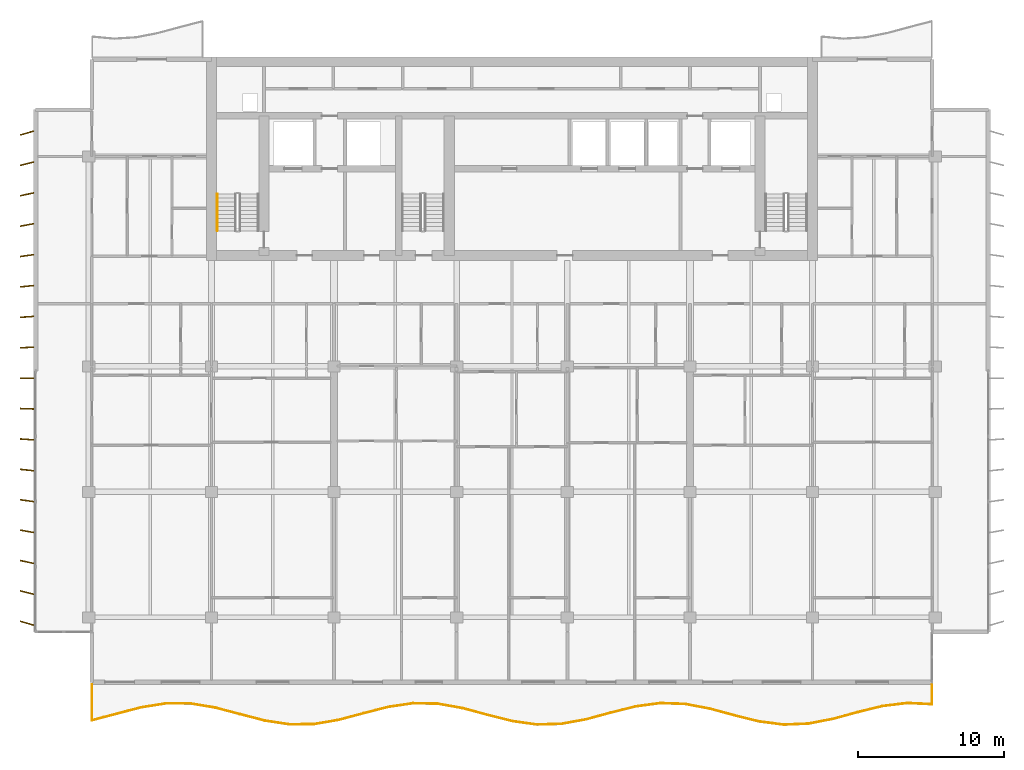
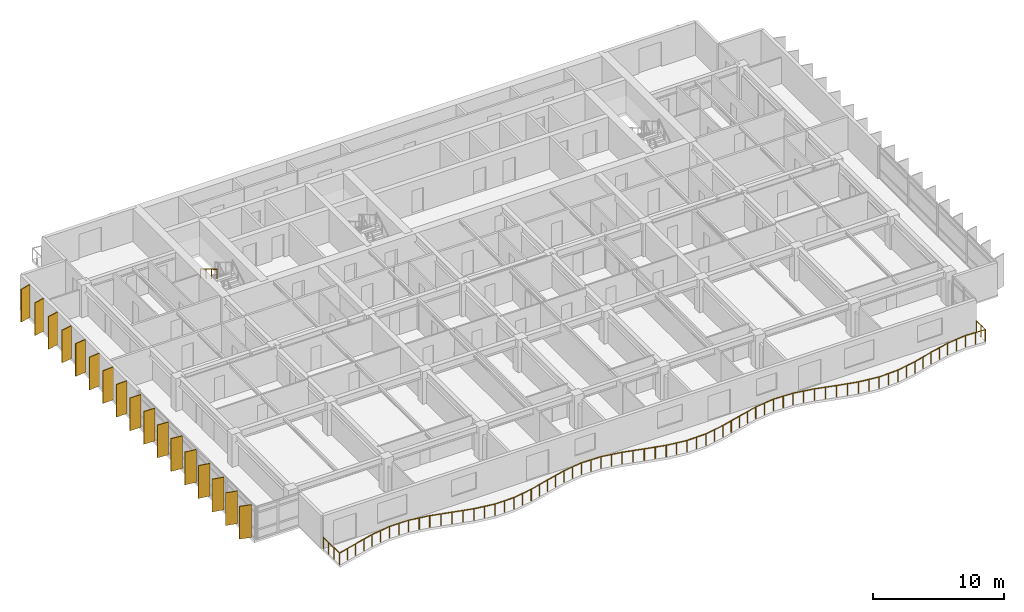
# One storey, part 15 of 18: 17 shading devices, 2 railings.
"""IFC4 building model written with IfcOpenShell, lengths in metres."""

import ifcopenshell
import ifcopenshell.guid

model = None  # the IFC model being written
_history = None  # IfcOwnerHistory: only IFC2X3 demands one
_inside = {}  # id of a spatial element -> (the spatial element, [elements in it])
_under = {}  # id of a project, library or spatial element -> (it, [spatial elements below it])
_declared = {}  # id of a project -> (the project, [libraries it declares])
_typed = {}  # id of a type object -> (the type object, [elements of that type])
_made_of = {}  # id of a material, layer set ... -> (it, [elements and type objects made of it])


def new_model(schema):
    """Start an empty IFC model of exactly this schema.

    Asked for "IFC4X3", IfcOpenShell would pick the latest addendum, in which some entities
    have other attributes; the version numbers below select the first issue.
    IFC2X3 requires an IfcOwnerHistory on every rooted entity: one is made here for all.
    """
    global model, _history
    if schema == "IFC4X3":
        model = ifcopenshell.file(schema_version=(4, 3, 0, 0))
    else:
        model = ifcopenshell.file(schema=schema)
    _inside.clear()
    _under.clear()
    _declared.clear()
    _typed.clear()
    _made_of.clear()
    _history = None
    if model.schema == "IFC2X3":
        org = make("IfcOrganization", Name="unknown")
        user = make(
            "IfcPersonAndOrganization",
            ThePerson=make("IfcPerson", FamilyName="unknown"),
            TheOrganization=org,
        )
        app = make(
            "IfcApplication",
            ApplicationDeveloper=org,
            Version="unknown",
            ApplicationFullName="unknown",
            ApplicationIdentifier="unknown",
        )
        _history = make(
            "IfcOwnerHistory",
            OwningUser=user,
            OwningApplication=app,
            ChangeAction="ADDED",
            CreationDate=0,
        )
    return model


def make(cls, **values):
    """One entity of the class cls with the attributes given. An attribute that is None is left unset."""
    return model.create_entity(
        cls, **{name: value for name, value in values.items() if value is not None}
    )


def rooted(cls, **values):
    """An entity with a GlobalId (a new one), such as an element, a storey or a relation."""
    return make(cls, GlobalId=ifcopenshell.guid.new(), OwnerHistory=_history, **values)


def si_unit(unit_type, name, prefix=None):
    """IfcSIUnit, for example si_unit("LENGTHUNIT", "METRE", prefix="MILLI")."""
    return make("IfcSIUnit", UnitType=unit_type, Prefix=prefix, Name=name)


def assignment(units):
    """IfcUnitAssignment: the units of a project."""
    return None if units is None else make("IfcUnitAssignment", Units=units)


def point(xyz):
    """IfcCartesianPoint."""
    return None if xyz is None else make("IfcCartesianPoint", Coordinates=xyz)


def direction(xyz):
    """IfcDirection."""
    return None if xyz is None else make("IfcDirection", DirectionRatios=xyz)


def frame(location, z_axis=None, x_axis=None):
    """IfcAxis2Placement3D, a coordinate frame: its origin and axes. An axis left out is left unset."""
    return make(
        "IfcAxis2Placement3D",
        Location=point(location),
        Axis=direction(z_axis),
        RefDirection=direction(x_axis),
    )


def frame_2d(location, x_axis=None):
    """IfcAxis2Placement2D, a coordinate frame in the plane: its origin and x axis."""
    return make(
        "IfcAxis2Placement2D", Location=point(location), RefDirection=direction(x_axis)
    )


def origin():
    """The frame at (0, 0, 0) with its axes left unset."""
    return frame((0.0, 0.0, 0.0))


def origin_2d():
    """The frame at (0, 0) in the plane with its x axis left unset."""
    return frame_2d((0.0, 0.0))


def place(relative_to, where):
    """IfcLocalPlacement: puts the frame where relative to a parent placement (None: the world)."""
    return make(
        "IfcLocalPlacement", PlacementRelTo=relative_to, RelativePlacement=where
    )


def context(
    kind, dimensions, precision=None, world=None, true_north=None, identifier=None
):
    """IfcGeometricRepresentationContext, for example the 3D "Model" context."""
    return make(
        "IfcGeometricRepresentationContext",
        ContextIdentifier=identifier,
        ContextType=kind,
        CoordinateSpaceDimension=dimensions,
        Precision=precision,
        WorldCoordinateSystem=world,
        TrueNorth=true_north,
    )


def subcontext(parent, identifier, kind, view, scale=None):
    """IfcGeometricRepresentationSubContext, for example "Body" below "Model"."""
    return make(
        "IfcGeometricRepresentationSubContext",
        ContextIdentifier=identifier,
        ContextType=kind,
        ParentContext=parent,
        TargetScale=scale,
        TargetView=view,
    )


def project(units=None, contexts=None):
    """IfcProject with its units and contexts."""
    return rooted(
        "IfcProject",
        Name="project",
        RepresentationContexts=contexts,
        UnitsInContext=assignment(units),
    )


def spatial(cls, under=None, at=None, **own):
    """A site, building, storey or space (cls), placed at a placement, below another one or the project."""
    s = rooted(cls, ObjectPlacement=at, **own)
    if under is not None:
        _under.setdefault(under.id(), (under, []))[1].append(s)
    return s


def profile(cls, at=None, kind="AREA", **sizes):
    """A parametric profile (cls). Its sizes go by their IFC names, for example OverallWidth=200.0."""
    return make(cls, ProfileType=kind, Position=at, **sizes)


def rectangle(**sizes):
    """IfcRectangleProfileDef."""
    return profile("IfcRectangleProfileDef", **sizes)


def circle(**sizes):
    """IfcCircleProfileDef."""
    return profile("IfcCircleProfileDef", **sizes)


def extrude(swept, where, along, depth):
    """IfcExtrudedAreaSolid: the profile swept, set in the frame where, extruded along a direction by depth."""
    return make(
        "IfcExtrudedAreaSolid",
        SweptArea=swept,
        Position=where,
        ExtrudedDirection=direction(along),
        Depth=depth,
    )


def shape(context_of_items, identifier, shape_type, items):
    """IfcShapeRepresentation: the items that make up one representation, for example the "Body"."""
    return make(
        "IfcShapeRepresentation",
        ContextOfItems=context_of_items,
        RepresentationIdentifier=identifier,
        RepresentationType=shape_type,
        Items=items,
    )


def material(Name=None, Category=None):
    """IfcMaterial."""
    return make("IfcMaterial", Name=Name, Category=Category)


def material_profile(
    of_material, cross_section, Name=None, Category=None, Priority=None
):
    """IfcMaterialProfile: a cross section and its material."""
    return make(
        "IfcMaterialProfile",
        Name=Name,
        Material=of_material,
        Profile=cross_section,
        Priority=Priority,
        Category=Category,
    )


def profile_set(profiles, Name=None, composite=None):
    """IfcMaterialProfileSet."""
    return make(
        "IfcMaterialProfileSet",
        Name=Name,
        MaterialProfiles=profiles,
        CompositeProfile=composite,
    )


def made_of(thing, what):
    """Note that an element or type object is made of a material, layer set ...; save() writes the relation."""
    if what is not None:
        _made_of.setdefault(what.id(), (what, []))[1].append(thing)
    return thing


def type_object(cls, material=None, **own):
    """A type object (cls), such as IfcWallType, which elements share."""
    return made_of(rooted(cls, **own), material)


def element(
    cls,
    number,
    at=None,
    inside=None,
    cuts=None,
    type_object=None,
    material=None,
    context=None,
    identifier="Body",
    shape_type=None,
    held_by="IfcProductDefinitionShape",
    body=None,
    shapes=None,
    **own,
):
    """One element of the class cls, such as IfcWall. Its Tag is "e" and its number.

    at: its placement. inside: the storey or other place that contains it. cuts: it is an
    opening in that element (IfcRelVoidsElement). A single representation is given by context,
    identifier, shape_type and body (its items); several are given by shapes. held_by: the class
    of the entity that holds the representations. save() writes the other relations.
    """
    e = rooted(cls, Tag="e%d" % number, ObjectPlacement=at, **own)
    if body is not None:
        shapes = [shape(context, identifier, shape_type, body)]
    if shapes is not None:
        e.Representation = make(held_by, Representations=shapes)
    if inside is not None:
        _inside.setdefault(inside.id(), (inside, []))[1].append(e)
    if cuts is not None:
        rooted(
            "IfcRelVoidsElement", RelatingBuildingElement=cuts, RelatedOpeningElement=e
        )
    if type_object is not None:
        _typed.setdefault(type_object.id(), (type_object, []))[1].append(e)
    return made_of(e, material)


def aggregate(whole, parts):
    """IfcRelAggregates: a whole, such as a stair, and the parts it consists of."""
    return rooted("IfcRelAggregates", RelatingObject=whole, RelatedObjects=parts)


def save(model, path):
    """Write the relations noted so far, then the file.

    IfcRelAggregates (storeys below a building ...), IfcRelContainedInSpatialStructure (elements
    in a storey), IfcRelDefinesByType, IfcRelAssociatesMaterial and IfcRelDeclares: one each for
    every whole, place, type object, material and project.
    """
    for whole, parts in _under.values():
        aggregate(whole, parts)
    for where, things in _inside.values():
        rooted(
            "IfcRelContainedInSpatialStructure",
            RelatedElements=things,
            RelatingStructure=where,
        )
    for kind, things in _typed.values():
        rooted("IfcRelDefinesByType", RelatedObjects=things, RelatingType=kind)
    for what, things in _made_of.values():
        rooted("IfcRelAssociatesMaterial", RelatedObjects=things, RelatingMaterial=what)
    for by, libraries in _declared.values():
        rooted("IfcRelDeclares", RelatingContext=by, RelatedDefinitions=libraries)
    model.write(path)


model = new_model("IFC4")

# Units and contexts
model_context = context("Model", 3, precision=1e-05, world=origin(), true_north=direction((0.0, 1.0)))
body_context = subcontext(model_context, "Body", "Model", "MODEL_VIEW")
ifc_project = project(units=[si_unit("LENGTHUNIT", "METRE"), si_unit("AREAUNIT", "SQUARE_METRE"), si_unit("VOLUMEUNIT", "CUBIC_METRE"), si_unit("PLANEANGLEUNIT", "RADIAN"), si_unit("MASSUNIT", "GRAM", prefix="KILO")], contexts=[model_context])

# Site, building, storey
site_placement = place(None, origin())
site = spatial("IfcSite", under=ifc_project, at=site_placement, CompositionType="ELEMENT")
building_placement = place(site_placement, origin())
building = spatial("IfcBuilding", under=site, at=building_placement, Name="Caelmar Bay Residences", CompositionType="ELEMENT")
storey_placement = place(building_placement, frame((0.0, 0.0, 170.39990234375)))
storey = spatial("IfcBuildingStorey", under=building, at=storey_placement, Name="L47", CompositionType="ELEMENT", Elevation=170.39990234375)

# Railings
ifc_material_1 = material(Name="Anodised bronze handrail with laminated hurricane glass infill", Category="glass")
railing_type_1 = type_object("IfcRailingType", Name="RL-BAL-1100", PredefinedType="BALUSTRADE", material=ifc_material_1)
railing_1_placement = place(storey_placement, frame((10.10009765625, 7.60009765625, 0.0)))
element("IfcRailing", 1, at=railing_1_placement, inside=storey, type_object=railing_type_1, Name="L47 south Balcony Balustrade", PredefinedType="BALUSTRADE", context=body_context, shape_type="SweptSolid", body=[
    extrude(circle(Radius=0.02392578125, at=origin_2d()), frame((0.0, 0.0, 1.076171875), z_axis=(0.0, -1.0, 0.0), x_axis=(1.0, 0.0, 0.0)), (0.0, 0.0, 1.0), 2.4609375),
    extrude(circle(Radius=0.02392578125, at=origin_2d()), frame((0.0, -2.4609375, 1.076171875), z_axis=(0.967213419864, 0.253964959071, 0.0), x_axis=(-0.253964959071, 0.967213419864, 0.0)), (0.0, 0.0, 1.0), 1.75146484375),
    extrude(circle(Radius=0.02392578125, at=origin_2d()), frame((1.694091796875, -2.01611328125, 1.076171875), z_axis=(0.967452721497, 0.25305183593, 0.0), x_axis=(-0.25305183593, 0.967452721497, 0.0)), (0.0, 0.0, 1.0), 1.7509765625),
    extrude(circle(Radius=0.02392578125, at=origin_2d()), frame((3.38818359375, -1.572998046875, 1.076171875), z_axis=(0.987556706693, 0.15726331761, 0.0), x_axis=(-0.15726331761, 0.987556706693, 0.0)), (0.0, 0.0, 1.0), 1.71533203125),
    extrude(circle(Radius=0.02392578125, at=origin_2d()), frame((5.082275390625, -1.30322265625, 1.076171875), z_axis=(0.99998654225, -0.005187997625, 0.0), x_axis=(0.005187997625, 0.99998654225, 0.0)), (0.0, 0.0, 1.0), 1.694091796875),
    extrude(circle(Radius=0.02392578125, at=origin_2d()), frame((6.7763671875, -1.31201171875, 1.076171875), z_axis=(0.986290005776, -0.165021285013, 0.0), x_axis=(0.165021285013, 0.986290005776, 0.0)), (0.0, 0.0, 1.0), 1.717529296875),
    extrude(circle(Radius=0.02392578125, at=origin_2d()), frame((8.470458984375, -1.595458984375, 1.076171875), z_axis=(0.966698132287, -0.255919364319, 0.0), x_axis=(0.255919364319, 0.966698132287, 0.0)), (0.0, 0.0, 1.0), 1.75244140625),
    extrude(circle(Radius=0.02392578125, at=origin_2d()), frame((10.16455078125, -2.0439453125, 1.076171875), z_axis=(0.967996898166, -0.250962158784, 0.0), x_axis=(0.250962158784, 0.967996898166, 0.0)), (0.0, 0.0, 1.0), 1.75),
    extrude(circle(Radius=0.02392578125, at=origin_2d()), frame((11.858642578125, -2.483154296875, 1.076171875), z_axis=(0.988489971767, -0.151286402942, 0.0), x_axis=(0.151286402942, 0.988489971767, 0.0)), (0.0, 0.0, 1.0), 1.7138671875),
    extrude(circle(Radius=0.02392578125, at=origin_2d()), frame((13.552734375, -2.742431640625, 1.076171875), z_axis=(0.999925003662, 0.012246920074, 0.0), x_axis=(-0.012246920074, 0.999925003662, 0.0)), (0.0, 0.0, 1.0), 1.694580078125),
    extrude(circle(Radius=0.02392578125, at=origin_2d()), frame((15.2470703125, -2.7216796875, 1.076171875), z_axis=(0.985326175122, 0.17068195165, 0.0), x_axis=(-0.17068195165, 0.985326175122, 0.0)), (0.0, 0.0, 1.0), 1.71923828125),
    extrude(circle(Radius=0.02392578125, at=origin_2d()), frame((16.941162109375, -2.42822265625, 1.076171875), z_axis=(0.966248805322, 0.257610648486, 0.0), x_axis=(-0.257610648486, 0.966248805322, 0.0)), (0.0, 0.0, 1.0), 1.753173828125),
    extrude(circle(Radius=0.02392578125, at=origin_2d()), frame((18.63525390625, -1.9765625, 1.076171875), z_axis=(0.968604420654, 0.248607072083, 0.0), x_axis=(-0.248607072083, 0.968604420654, 0.0)), (0.0, 0.0, 1.0), 1.7490234375),
    extrude(circle(Radius=0.02392578125, at=origin_2d()), frame((20.329345703125, -1.541748046875, 1.076171875), z_axis=(0.989347663286, 0.145571979279, 0.0), x_axis=(-0.145571979279, 0.989347663286, 0.0)), (0.0, 0.0, 1.0), 1.71240234375),
    extrude(circle(Radius=0.02392578125, at=origin_2d()), frame((22.0234375, -1.29248046875, 1.076171875), z_axis=(0.999805154483, -0.019739631959, 0.0), x_axis=(0.019739631959, 0.999805154483, 0.0)), (0.0, 0.0, 1.0), 1.6943359375),
    extrude(circle(Radius=0.02392578125, at=origin_2d()), frame((23.717529296875, -1.325927734375, 1.076171875), z_axis=(0.984405647949, -0.175913388594, 0.0), x_axis=(0.175913388594, 0.984405647949, 0.0)), (0.0, 0.0, 1.0), 1.720947265625),
    extrude(circle(Radius=0.02392578125, at=origin_2d()), frame((25.41162109375, -1.628662109375, 1.076171875), z_axis=(0.965796942393, -0.259299568191, 0.0), x_axis=(0.259299568191, 0.965796942393, 0.0)), (0.0, 0.0, 1.0), 1.754150390625),
    extrude(circle(Radius=0.02392578125, at=origin_2d()), frame((27.105712890625, -2.08349609375, 1.076171875), z_axis=(0.969240289896, -0.246116355497, 0.0), x_axis=(0.246116355497, 0.969240289896, 0.0)), (0.0, 0.0, 1.0), 1.747802734375),
    extrude(circle(Radius=0.02392578125, at=origin_2d()), frame((28.7998046875, -2.513671875, 1.076171875), z_axis=(0.990232888477, -0.139423192397, 0.0), x_axis=(0.139423192397, 0.990232888477, 0.0)), (0.0, 0.0, 1.0), 1.710693359375),
    extrude(circle(Radius=0.02392578125, at=origin_2d()), frame((30.493896484375, -2.752197265625, 1.076171875), z_axis=(0.99963706992, 0.026939347467, 0.0), x_axis=(-0.026939347467, 0.99963706992, 0.0)), (0.0, 0.0, 1.0), 1.69482421875),
    extrude(circle(Radius=0.02392578125, at=origin_2d()), frame((32.18798828125, -2.70654296875, 1.076171875), z_axis=(0.98346381748, 0.181104720279, 0.0), x_axis=(-0.181104720279, 0.98346381748, 0.0)), (0.0, 0.0, 1.0), 1.722900390625),
    extrude(circle(Radius=0.02392578125, at=origin_2d()), frame((33.88232421875, -2.39453125, 1.076171875), z_axis=(0.965412624855, 0.260726799103, 0.0), x_axis=(-0.260726799103, 0.965412624855, 0.0)), (0.0, 0.0, 1.0), 1.7548828125),
    extrude(circle(Radius=0.02392578125, at=origin_2d()), frame((35.576416015625, -1.93701171875, 1.076171875), z_axis=(0.969936592208, 0.243357775909, 0.0), x_axis=(-0.243357775909, 0.969936592208, 0.0)), (0.0, 0.0, 1.0), 1.74658203125),
    extrude(circle(Radius=0.02392578125, at=origin_2d()), frame((37.2705078125, -1.511962890625, 1.076171875), z_axis=(0.991062477323, 0.133398523392, 0.0), x_axis=(-0.133398523392, 0.991062477323, 0.0)), (0.0, 0.0, 1.0), 1.70947265625),
    extrude(circle(Radius=0.02392578125, at=origin_2d()), frame((38.964599609375, -1.283935546875, 1.076171875), z_axis=(0.99941723541, -0.034134873151, 0.0), x_axis=(0.034134873151, 0.99941723541, 0.0)), (0.0, 0.0, 1.0), 1.695068359375),
    extrude(circle(Radius=0.02392578125, at=origin_2d()), frame((40.65869140625, -1.341796875, 1.076171875), z_axis=(0.982512882839, -0.186194616073, 0.0), x_axis=(0.186194616073, 0.982512882839, 0.0)), (0.0, 0.0, 1.0), 1.724365234375),
    extrude(circle(Radius=0.02392578125, at=origin_2d()), frame((42.352783203125, -1.662841796875, 1.076171875), z_axis=(0.965071229685, -0.261987636416, 0.0), x_axis=(0.261987636416, 0.965071229685, 0.0)), (0.0, 0.0, 1.0), 1.755615234375),
    extrude(circle(Radius=0.02392578125, at=origin_2d()), frame((44.047119140625, -2.122802734375, 1.076171875), z_axis=(0.970626021938, -0.240593278244, 0.0), x_axis=(0.240593278244, 0.970626021938, 0.0)), (0.0, 0.0, 1.0), 1.745361328125),
    extrude(circle(Radius=0.02392578125, at=origin_2d()), frame((45.7412109375, -2.542724609375, 1.076171875), z_axis=(0.991892756224, -0.127077772054, 0.0), x_axis=(0.127077772054, 0.991892756224, 0.0)), (0.0, 0.0, 1.0), 1.7080078125),
    extrude(circle(Radius=0.02392578125, at=origin_2d()), frame((47.435302734375, -2.759765625, 1.076171875), z_axis=(0.999145753411, 0.041325094571, 0.0), x_axis=(-0.041325094571, 0.999145753411, 0.0)), (0.0, 0.0, 1.0), 1.695556640625),
    extrude(circle(Radius=0.02392578125, at=origin_2d()), frame((49.12939453125, -2.689697265625, 1.076171875), z_axis=(0.981542435626, 0.191244469371, 0.0), x_axis=(-0.191244469371, 0.981542435626, 0.0)), (0.0, 0.0, 1.0), 1.725830078125),
    extrude(circle(Radius=0.02392578125, at=origin_2d()), frame((50.823486328125, -2.359619140625, 1.076171875), z_axis=(0.964815141602, 0.262929158779, 0.0), x_axis=(-0.262929158779, 0.964815141602, 0.0)), (0.0, 0.0, 1.0), 1.755859375),
    extrude(circle(Radius=0.02392578125, at=origin_2d()), frame((52.517578125, -1.89794921875, 1.076171875), z_axis=(0.971340857781, 0.23769084544, 0.0), x_axis=(-0.23769084544, 0.971340857781, 0.0)), (0.0, 0.0, 1.0), 1.744140625),
    extrude(circle(Radius=0.02392578125, at=origin_2d()), frame((54.211669921875, -1.4833984375, 1.076171875), z_axis=(0.992683982809, 0.120741501872, 0.0), x_axis=(-0.120741501872, 0.992683982809, 0.0)), (0.0, 0.0, 1.0), 1.70654296875),
    extrude(circle(Radius=0.02392578125, at=origin_2d()), frame((55.90576171875, -1.27734375, 1.076171875), z_axis=(0.998822750284, -0.048508901404, 0.0), x_axis=(0.048508901404, 0.998822750284, 0.0)), (0.0, 0.0, 1.0), 1.696044921875),
    extrude(circle(Radius=0.02392578125, at=origin_2d()), frame((57.599853515625, -1.359619140625, 1.076171875), z_axis=(0.0, 1.0, 0.0), x_axis=(-1.0, 0.0, 0.0)), (0.0, 0.0, 1.0), 1.359619140625),
    extrude(circle(Radius=0.02099609375, at=origin_2d()), origin(), (0.0, 0.0, 1.0), 1.052001953125),
    extrude(circle(Radius=0.02099609375, at=origin_2d()), frame((0.0, -0.8203125, 0.0)), (0.0, 0.0, 1.0), 1.052001953125),
    extrude(circle(Radius=0.02099609375, at=origin_2d()), frame((0.0, -1.640625, 0.0)), (0.0, 0.0, 1.0), 1.052001953125),
    extrude(circle(Radius=0.02099609375, at=origin_2d()), frame((0.0, -2.4609375, 0.0)), (0.0, 0.0, 1.0), 1.052001953125),
    extrude(circle(Radius=0.02099609375, at=origin_2d()), frame((0.84716796875, -2.238525390625, 0.0)), (0.0, 0.0, 1.0), 1.052001953125),
    extrude(circle(Radius=0.02099609375, at=origin_2d()), frame((1.694091796875, -2.01611328125, 0.0)), (0.0, 0.0, 1.0), 1.052001953125),
    extrude(circle(Radius=0.02099609375, at=origin_2d()), frame((2.541015625, -1.79443359375, 0.0)), (0.0, 0.0, 1.0), 1.052001953125),
    extrude(circle(Radius=0.02099609375, at=origin_2d()), frame((3.38818359375, -1.572998046875, 0.0)), (0.0, 0.0, 1.0), 1.052001953125),
    extrude(circle(Radius=0.02099609375, at=origin_2d()), frame((4.2353515625, -1.43798828125, 0.0)), (0.0, 0.0, 1.0), 1.052001953125),
    extrude(circle(Radius=0.02099609375, at=origin_2d()), frame((5.082275390625, -1.30322265625, 0.0)), (0.0, 0.0, 1.0), 1.052001953125),
    extrude(circle(Radius=0.02099609375, at=origin_2d()), frame((5.92919921875, -1.3076171875, 0.0)), (0.0, 0.0, 1.0), 1.052001953125),
    extrude(circle(Radius=0.02099609375, at=origin_2d()), frame((6.7763671875, -1.31201171875, 0.0)), (0.0, 0.0, 1.0), 1.052001953125),
    extrude(circle(Radius=0.02099609375, at=origin_2d()), frame((7.62353515625, -1.45361328125, 0.0)), (0.0, 0.0, 1.0), 1.052001953125),
    extrude(circle(Radius=0.02099609375, at=origin_2d()), frame((8.470458984375, -1.595458984375, 0.0)), (0.0, 0.0, 1.0), 1.052001953125),
    extrude(circle(Radius=0.02099609375, at=origin_2d()), frame((9.3173828125, -1.81982421875, 0.0)), (0.0, 0.0, 1.0), 1.052001953125),
    extrude(circle(Radius=0.02099609375, at=origin_2d()), frame((10.16455078125, -2.0439453125, 0.0)), (0.0, 0.0, 1.0), 1.052001953125),
    extrude(circle(Radius=0.02099609375, at=origin_2d()), frame((11.01171875, -2.263671875, 0.0)), (0.0, 0.0, 1.0), 1.052001953125),
    extrude(circle(Radius=0.02099609375, at=origin_2d()), frame((11.858642578125, -2.483154296875, 0.0)), (0.0, 0.0, 1.0), 1.052001953125),
    extrude(circle(Radius=0.02099609375, at=origin_2d()), frame((12.70556640625, -2.61279296875, 0.0)), (0.0, 0.0, 1.0), 1.052001953125),
    extrude(circle(Radius=0.02099609375, at=origin_2d()), frame((13.552734375, -2.742431640625, 0.0)), (0.0, 0.0, 1.0), 1.052001953125),
    extrude(circle(Radius=0.02099609375, at=origin_2d()), frame((14.39990234375, -2.73193359375, 0.0)), (0.0, 0.0, 1.0), 1.052001953125),
    extrude(circle(Radius=0.02099609375, at=origin_2d()), frame((15.2470703125, -2.7216796875, 0.0)), (0.0, 0.0, 1.0), 1.052001953125),
    extrude(circle(Radius=0.02099609375, at=origin_2d()), frame((16.09423828125, -2.574951171875, 0.0)), (0.0, 0.0, 1.0), 1.052001953125),
    extrude(circle(Radius=0.02099609375, at=origin_2d()), frame((16.941162109375, -2.42822265625, 0.0)), (0.0, 0.0, 1.0), 1.052001953125),
    extrude(circle(Radius=0.02099609375, at=origin_2d()), frame((17.7880859375, -2.202392578125, 0.0)), (0.0, 0.0, 1.0), 1.052001953125),
    extrude(circle(Radius=0.02099609375, at=origin_2d()), frame((18.63525390625, -1.9765625, 0.0)), (0.0, 0.0, 1.0), 1.052001953125),
    extrude(circle(Radius=0.02099609375, at=origin_2d()), frame((19.482421875, -1.75927734375, 0.0)), (0.0, 0.0, 1.0), 1.052001953125),
    extrude(circle(Radius=0.02099609375, at=origin_2d()), frame((20.329345703125, -1.541748046875, 0.0)), (0.0, 0.0, 1.0), 1.052001953125),
    extrude(circle(Radius=0.02099609375, at=origin_2d()), frame((21.17626953125, -1.4169921875, 0.0)), (0.0, 0.0, 1.0), 1.052001953125),
    extrude(circle(Radius=0.02099609375, at=origin_2d()), frame((22.0234375, -1.29248046875, 0.0)), (0.0, 0.0, 1.0), 1.052001953125),
    extrude(circle(Radius=0.02099609375, at=origin_2d()), frame((22.87060546875, -1.30908203125, 0.0)), (0.0, 0.0, 1.0), 1.052001953125),
    extrude(circle(Radius=0.02099609375, at=origin_2d()), frame((23.717529296875, -1.325927734375, 0.0)), (0.0, 0.0, 1.0), 1.052001953125),
    extrude(circle(Radius=0.02099609375, at=origin_2d()), frame((24.564453125, -1.477294921875, 0.0)), (0.0, 0.0, 1.0), 1.052001953125),
    extrude(circle(Radius=0.02099609375, at=origin_2d()), frame((25.41162109375, -1.628662109375, 0.0)), (0.0, 0.0, 1.0), 1.052001953125),
    extrude(circle(Radius=0.02099609375, at=origin_2d()), frame((26.2587890625, -1.85595703125, 0.0)), (0.0, 0.0, 1.0), 1.052001953125),
    extrude(circle(Radius=0.02099609375, at=origin_2d()), frame((27.105712890625, -2.08349609375, 0.0)), (0.0, 0.0, 1.0), 1.052001953125),
    extrude(circle(Radius=0.02099609375, at=origin_2d()), frame((27.95263671875, -2.298583984375, 0.0)), (0.0, 0.0, 1.0), 1.052001953125),
    extrude(circle(Radius=0.02099609375, at=origin_2d()), frame((28.7998046875, -2.513671875, 0.0)), (0.0, 0.0, 1.0), 1.052001953125),
    extrude(circle(Radius=0.02099609375, at=origin_2d()), frame((29.64697265625, -2.6328125, 0.0)), (0.0, 0.0, 1.0), 1.052001953125),
    extrude(circle(Radius=0.02099609375, at=origin_2d()), frame((30.493896484375, -2.752197265625, 0.0)), (0.0, 0.0, 1.0), 1.052001953125),
    extrude(circle(Radius=0.02099609375, at=origin_2d()), frame((31.3408203125, -2.7294921875, 0.0)), (0.0, 0.0, 1.0), 1.052001953125),
    extrude(circle(Radius=0.02099609375, at=origin_2d()), frame((32.18798828125, -2.70654296875, 0.0)), (0.0, 0.0, 1.0), 1.052001953125),
    extrude(circle(Radius=0.02099609375, at=origin_2d()), frame((33.03515625, -2.550537109375, 0.0)), (0.0, 0.0, 1.0), 1.052001953125),
    extrude(circle(Radius=0.02099609375, at=origin_2d()), frame((33.88232421875, -2.39453125, 0.0)), (0.0, 0.0, 1.0), 1.052001953125),
    extrude(circle(Radius=0.02099609375, at=origin_2d()), frame((34.7294921875, -2.165771484375, 0.0)), (0.0, 0.0, 1.0), 1.052001953125),
    extrude(circle(Radius=0.02099609375, at=origin_2d()), frame((35.576416015625, -1.93701171875, 0.0)), (0.0, 0.0, 1.0), 1.052001953125),
    extrude(circle(Radius=0.02099609375, at=origin_2d()), frame((36.42333984375, -1.724609375, 0.0)), (0.0, 0.0, 1.0), 1.052001953125),
    extrude(circle(Radius=0.02099609375, at=origin_2d()), frame((37.2705078125, -1.511962890625, 0.0)), (0.0, 0.0, 1.0), 1.052001953125),
    extrude(circle(Radius=0.02099609375, at=origin_2d()), frame((38.11767578125, -1.39794921875, 0.0)), (0.0, 0.0, 1.0), 1.052001953125),
    extrude(circle(Radius=0.02099609375, at=origin_2d()), frame((38.964599609375, -1.283935546875, 0.0)), (0.0, 0.0, 1.0), 1.052001953125),
    extrude(circle(Radius=0.02099609375, at=origin_2d()), frame((39.8115234375, -1.31298828125, 0.0)), (0.0, 0.0, 1.0), 1.052001953125),
    extrude(circle(Radius=0.02099609375, at=origin_2d()), frame((40.65869140625, -1.341796875, 0.0)), (0.0, 0.0, 1.0), 1.052001953125),
    extrude(circle(Radius=0.02099609375, at=origin_2d()), frame((41.505859375, -1.50244140625, 0.0)), (0.0, 0.0, 1.0), 1.052001953125),
    extrude(circle(Radius=0.02099609375, at=origin_2d()), frame((42.352783203125, -1.662841796875, 0.0)), (0.0, 0.0, 1.0), 1.052001953125),
    extrude(circle(Radius=0.02099609375, at=origin_2d()), frame((43.199951171875, -1.892822265625, 0.0)), (0.0, 0.0, 1.0), 1.052001953125),
    extrude(circle(Radius=0.02099609375, at=origin_2d()), frame((44.047119140625, -2.122802734375, 0.0)), (0.0, 0.0, 1.0), 1.052001953125),
    extrude(circle(Radius=0.02099609375, at=origin_2d()), frame((44.89404296875, -2.332763671875, 0.0)), (0.0, 0.0, 1.0), 1.052001953125),
    extrude(circle(Radius=0.02099609375, at=origin_2d()), frame((45.7412109375, -2.542724609375, 0.0)), (0.0, 0.0, 1.0), 1.052001953125),
    extrude(circle(Radius=0.02099609375, at=origin_2d()), frame((46.58837890625, -2.6513671875, 0.0)), (0.0, 0.0, 1.0), 1.052001953125),
    extrude(circle(Radius=0.02099609375, at=origin_2d()), frame((47.435302734375, -2.759765625, 0.0)), (0.0, 0.0, 1.0), 1.052001953125),
    extrude(circle(Radius=0.02099609375, at=origin_2d()), frame((48.2822265625, -2.724609375, 0.0)), (0.0, 0.0, 1.0), 1.052001953125),
    extrude(circle(Radius=0.02099609375, at=origin_2d()), frame((49.12939453125, -2.689697265625, 0.0)), (0.0, 0.0, 1.0), 1.052001953125),
    extrude(circle(Radius=0.02099609375, at=origin_2d()), frame((49.9765625, -2.524658203125, 0.0)), (0.0, 0.0, 1.0), 1.052001953125),
    extrude(circle(Radius=0.02099609375, at=origin_2d()), frame((50.823486328125, -2.359619140625, 0.0)), (0.0, 0.0, 1.0), 1.052001953125),
    extrude(circle(Radius=0.02099609375, at=origin_2d()), frame((51.67041015625, -2.12890625, 0.0)), (0.0, 0.0, 1.0), 1.052001953125),
    extrude(circle(Radius=0.02099609375, at=origin_2d()), frame((52.517578125, -1.89794921875, 0.0)), (0.0, 0.0, 1.0), 1.052001953125),
    extrude(circle(Radius=0.02099609375, at=origin_2d()), frame((53.36474609375, -1.690673828125, 0.0)), (0.0, 0.0, 1.0), 1.052001953125),
    extrude(circle(Radius=0.02099609375, at=origin_2d()), frame((54.211669921875, -1.4833984375, 0.0)), (0.0, 0.0, 1.0), 1.052001953125),
    extrude(circle(Radius=0.02099609375, at=origin_2d()), frame((55.05859375, -1.38037109375, 0.0)), (0.0, 0.0, 1.0), 1.052001953125),
    extrude(circle(Radius=0.02099609375, at=origin_2d()), frame((55.90576171875, -1.27734375, 0.0)), (0.0, 0.0, 1.0), 1.052001953125),
    extrude(circle(Radius=0.02099609375, at=origin_2d()), frame((56.7529296875, -1.318359375, 0.0)), (0.0, 0.0, 1.0), 1.052001953125),
    extrude(circle(Radius=0.02099609375, at=origin_2d()), frame((57.599853515625, -1.359619140625, 0.0)), (0.0, 0.0, 1.0), 1.052001953125),
    extrude(circle(Radius=0.02099609375, at=origin_2d()), frame((57.599853515625, -0.6796875, 0.0)), (0.0, 0.0, 1.0), 1.052001953125),
    extrude(circle(Radius=0.02099609375, at=origin_2d()), frame((57.599853515625, 0.0, 0.0)), (0.0, 0.0, 1.0), 1.052001953125),
])
ifc_material_2 = material(Name="Brushed bronze stainless-steel tubular handrail 900 mm", Category="steel")
railing_type_2 = type_object("IfcRailingType", Name="RL-HND-900", PredefinedType="HANDRAIL", material=ifc_material_2)
railing_2_placement = place(storey_placement, frame((18.699951171875, 41.219970703125, 1.815185546875)))
element("IfcRailing", 2, at=railing_2_placement, inside=storey, type_object=railing_type_2, Name="L47 ST1 stair handrail 2", PredefinedType="HANDRAIL", context=body_context, shape_type="SweptSolid", body=[
    extrude(circle(Radius=0.02392578125, at=origin_2d()), frame((0.0, 0.0, 0.8759765625), z_axis=(0.0, -0.861560626758, 0.507654692109), x_axis=(1.0, 0.0, 0.0)), (0.0, 0.0, 1.0), 2.925048828125),
    extrude(circle(Radius=0.02099609375, at=origin_2d()), origin(), (0.0, 0.0, 1.0), 0.851806640625),
    extrude(circle(Radius=0.02099609375, at=origin_2d()), frame((0.0, -0.840087890625, 0.494873046875)), (0.0, 0.0, 1.0), 0.851806640625),
    extrude(circle(Radius=0.02099609375, at=origin_2d()), frame((0.0, -1.679931640625, 0.989990234375)), (0.0, 0.0, 1.0), 0.851806640625),
    extrude(circle(Radius=0.02099609375, at=origin_2d()), frame((0.0, -2.52001953125, 1.48486328125)), (0.0, 0.0, 1.0), 0.851806640625),
])

# Shading devices
ifc_material_3 = material(Name="Anodised architectural bronze aluminium 6063-T6", Category="aluminium")
ifc_material_profile = material_profile(ifc_material_3, rectangle(XDim=0.074951171875, YDim=0.949951171875, at=origin_2d()), Name="BRONZE-FIN-75X950")
ifc_profile_set = profile_set([ifc_material_profile], Name="Anodised architectural bronze aluminium 6063-T6")
shading_device_type = type_object("IfcShadingDeviceType", Name="SHD-FIN-950", PredefinedType="USERDEFINED", material=ifc_profile_set)
for number, where, z_axis, x_axis, name in (
    (3, (5.64990234375, 11.800048828125, 0.0), (0.0, 0.0, 1.0), (0.275637355817, 0.961261695938, 0.0), "L47 West Bronze Solar Fin 1"),
    (4, (5.64990234375, 13.89990234375, 0.0), (0.0, 0.0, 1.0), (0.2419218956, 0.970295726276, 0.0), "L47 West Bronze Solar Fin 2"),
    (5, (5.64990234375, 16.0, 0.0), (0.0, 0.0, 1.0), (0.207911690818, 0.978147600734, 0.0), "L47 West Bronze Solar Fin 3"),
    (6, (5.64990234375, 18.10009765625, 0.0), (0.0, 0.0, 1.0), (0.173648177667, 0.984807753012, 0.0), "L47 West Bronze Solar Fin 4"),
    (7, (5.64990234375, 20.199951171875, 0.0), (0.0, 0.0, 1.0), (0.13917310096, 0.990268068742, 0.0), "L47 West Bronze Solar Fin 5"),
    (8, (5.64990234375, 22.300048828125, 0.0), (0.0, 0.0, 1.0), (0.104528463268, 0.994521895368, 0.0), "L47 West Bronze Solar Fin 6"),
    (9, (5.64990234375, 24.39990234375, 0.0), (0.0, 0.0, 1.0), (0.069756473744, 0.99756405026, 0.0), "L47 West Bronze Solar Fin 7"),
    (10, (5.64990234375, 26.5, 0.0), (0.0, 0.0, 1.0), (0.034899496703, 0.999390827019, 0.0), "L47 West Bronze Solar Fin 8"),
    (11, (5.64990234375, 28.60009765625, 0.0), (0.0, 0.0, 1.0), (0.0, 1.0, 0.0), "L47 West Bronze Solar Fin 9"),
    (12, (5.64990234375, 30.699951171875, 0.0), (0.0, 0.0, 1.0), (-0.034899496703, 0.999390827019, 0.0), "L47 West Bronze Solar Fin 10"),
    (13, (5.64990234375, 32.800048828125, 0.0), (0.0, 0.0, 1.0), (-0.069756473744, 0.99756405026, 0.0), "L47 West Bronze Solar Fin 11"),
    (14, (5.64990234375, 34.89990234375, 0.0), (0.0, 0.0, 1.0), (-0.104528463268, 0.994521895368, 0.0), "L47 West Bronze Solar Fin 12"),
    (15, (5.64990234375, 37.0, 0.0), (0.0, 0.0, 1.0), (-0.13917310096, 0.990268068742, 0.0), "L47 West Bronze Solar Fin 13"),
    (16, (5.64990234375, 39.10009765625, 0.0), (0.0, 0.0, 1.0), (-0.173648177667, 0.984807753012, 0.0), "L47 West Bronze Solar Fin 14"),
    (17, (5.64990234375, 41.199951171875, 0.0), (0.0, 0.0, 1.0), (-0.207911690818, 0.978147600734, 0.0), "L47 West Bronze Solar Fin 15"),
    (18, (5.64990234375, 43.300048828125, 0.0), (0.0, 0.0, 1.0), (-0.2419218956, 0.970295726276, 0.0), "L47 West Bronze Solar Fin 16"),
    (19, (5.64990234375, 45.39990234375, 0.0), (0.0, 0.0, 1.0), (-0.275637355817, 0.961261695938, 0.0), "L47 West Bronze Solar Fin 17"),
):
    element("IfcShadingDevice", number, at=place(storey_placement, frame(where, z_axis=z_axis, x_axis=x_axis)), inside=storey, type_object=shading_device_type, Name=name, ObjectType="FIN", PredefinedType="USERDEFINED", context=body_context, shape_type="SweptSolid", body=[
        extrude(rectangle(XDim=0.074951171875, YDim=0.949951171875, at=origin_2d()), origin(), (0.0, 0.0, 1.0), 3.050048828125),
    ])

save(model, "model.ifc")
